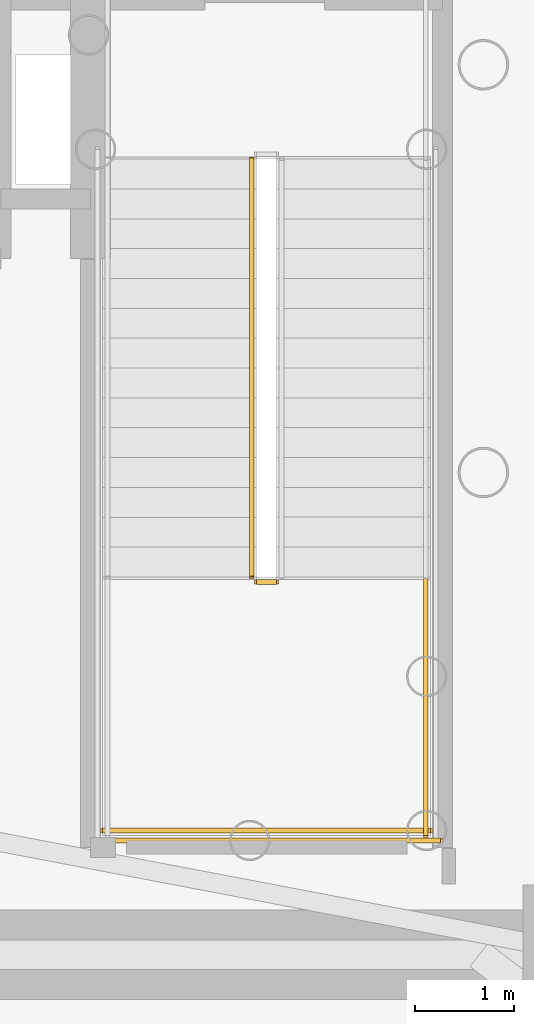
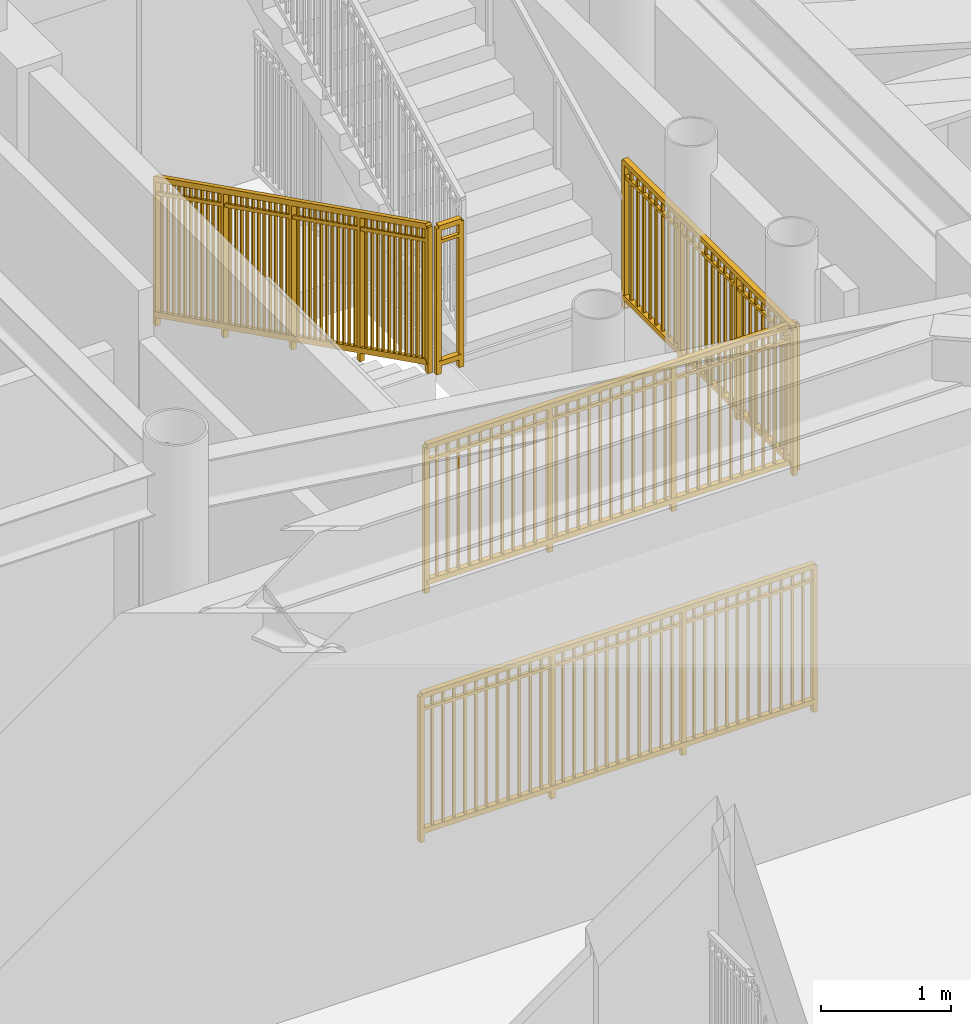
# One storey, part 19 of 21: 5 railings.
"""IFC4 building model written with IfcOpenShell, lengths in metres."""

from ifc_helpers import new_model, si_unit, direction, frame, origin, origin_2d, place, context, subcontext, project, spatial, rectangle, extrude, source, transform, mapped, material, type_object, element, save


model = new_model("IFC4")

# Units and contexts
model_context = context("Model", 3, precision=1e-05, world=origin(), true_north=direction((0.0, 1.0)))
body_context = subcontext(model_context, "Body", "Model", "MODEL_VIEW")
ifc_project = project(units=[si_unit("LENGTHUNIT", "METRE"), si_unit("AREAUNIT", "SQUARE_METRE"), si_unit("VOLUMEUNIT", "CUBIC_METRE"), si_unit("PLANEANGLEUNIT", "RADIAN"), si_unit("MASSUNIT", "GRAM", prefix="KILO")], contexts=[model_context])

# Site, building, storey
site_placement = place(None, origin())
site = spatial("IfcSite", under=ifc_project, at=site_placement, CompositionType="ELEMENT")
building_placement = place(site_placement, origin())
building = spatial("IfcBuilding", under=site, at=building_placement, Name="Linh Dai School and Residence Tower", CompositionType="ELEMENT")
storey_placement = place(building_placement, frame((0.0, 0.0, -4.5)))
storey = spatial("IfcBuildingStorey", under=building, at=storey_placement, Name="B01", CompositionType="ELEMENT", Elevation=-4.5)

# Railings
ifc_material = material(Name="Structural Steel S355JR", Category="steel")
railing_type = type_object("IfcRailingType", Name="RL-ST-GUARD-1400", PredefinedType="GUARDRAIL", material=ifc_material)
shared_shape_1 = source(origin(), body_context, "Body", "SweptSolid", [
    extrude(rectangle(XDim=0.048095703125, YDim=0.048095703125, at=origin_2d()), frame((0.0, 0.0, 1.3759765625), z_axis=(0.0, -0.894416792377, 0.447234392142), x_axis=(1.0, 0.0, 0.0)), (0.0, 0.0, 1.0), 4.69580078125),
    extrude(rectangle(XDim=0.048095703125, YDim=0.048095703125, at=origin_2d()), frame((0.0, 0.0, 0.10009765625), z_axis=(0.0, -0.894416792377, 0.447234392142), x_axis=(1.0, 0.0, 0.0)), (0.0, 0.0, 1.0), 4.69580078125),
    extrude(rectangle(XDim=0.030029296875, YDim=0.030029296875, at=origin_2d()), frame((0.0, 0.0, 1.239990234375), z_axis=(0.0, -0.894416792377, 0.447234392142), x_axis=(1.0, 0.0, 0.0)), (0.0, 0.0, 1.0), 4.69580078125),
    extrude(rectangle(XDim=0.02001953125, YDim=0.02001953125, at=origin_2d()), frame((0.0, -0.08740234375, 0.143798828125)), (0.0, 0.0, 1.0), 1.251708984375),
    extrude(rectangle(XDim=0.02001953125, YDim=0.02001953125, at=origin_2d()), frame((0.0, -0.175048828125, 0.1875)), (0.0, 0.0, 1.0), 1.251708984375),
    extrude(rectangle(XDim=0.02001953125, YDim=0.02001953125, at=origin_2d()), frame((0.0, -0.262451171875, 0.2314453125)), (0.0, 0.0, 1.0), 1.251708984375),
    extrude(rectangle(XDim=0.02001953125, YDim=0.02001953125, at=origin_2d()), frame((0.0, -0.35009765625, 0.275146484375)), (0.0, 0.0, 1.0), 1.251708984375),
    extrude(rectangle(XDim=0.02001953125, YDim=0.02001953125, at=origin_2d()), frame((0.0, -0.4375, 0.31884765625)), (0.0, 0.0, 1.0), 1.251708984375),
    extrude(rectangle(XDim=0.02001953125, YDim=0.02001953125, at=origin_2d()), frame((0.0, -0.52490234375, 0.362548828125)), (0.0, 0.0, 1.0), 1.251708984375),
    extrude(rectangle(XDim=0.02001953125, YDim=0.02001953125, at=origin_2d()), frame((0.0, -0.612548828125, 0.40625)), (0.0, 0.0, 1.0), 1.251708984375),
    extrude(rectangle(XDim=0.02001953125, YDim=0.02001953125, at=origin_2d()), frame((0.0, -0.699951171875, 0.4501953125)), (0.0, 0.0, 1.0), 1.251708984375),
    extrude(rectangle(XDim=0.02001953125, YDim=0.02001953125, at=origin_2d()), frame((0.0, -0.78759765625, 0.493896484375)), (0.0, 0.0, 1.0), 1.251708984375),
    extrude(rectangle(XDim=0.02001953125, YDim=0.02001953125, at=origin_2d()), frame((0.0, -0.875, 0.53759765625)), (0.0, 0.0, 1.0), 1.251708984375),
    extrude(rectangle(XDim=0.02001953125, YDim=0.02001953125, at=origin_2d()), frame((0.0, -0.96240234375, 0.581298828125)), (0.0, 0.0, 1.0), 1.251708984375),
    extrude(rectangle(XDim=0.02001953125, YDim=0.02001953125, at=origin_2d()), frame((0.0, -1.137451171875, 0.6689453125)), (0.0, 0.0, 1.0), 1.251708984375),
    extrude(rectangle(XDim=0.02001953125, YDim=0.02001953125, at=origin_2d()), frame((0.0, -1.22509765625, 0.712646484375)), (0.0, 0.0, 1.0), 1.251708984375),
    extrude(rectangle(XDim=0.02001953125, YDim=0.02001953125, at=origin_2d()), frame((0.0, -1.3125, 0.75634765625)), (0.0, 0.0, 1.0), 1.251708984375),
    extrude(rectangle(XDim=0.02001953125, YDim=0.02001953125, at=origin_2d()), frame((0.0, -1.39990234375, 0.800048828125)), (0.0, 0.0, 1.0), 1.251708984375),
    extrude(rectangle(XDim=0.02001953125, YDim=0.02001953125, at=origin_2d()), frame((0.0, -1.487548828125, 0.843994140625)), (0.0, 0.0, 1.0), 1.251708984375),
    extrude(rectangle(XDim=0.02001953125, YDim=0.02001953125, at=origin_2d()), frame((0.0, -1.574951171875, 0.8876953125)), (0.0, 0.0, 1.0), 1.251708984375),
    extrude(rectangle(XDim=0.02001953125, YDim=0.02001953125, at=origin_2d()), frame((0.0, -1.66259765625, 0.931396484375)), (0.0, 0.0, 1.0), 1.251708984375),
    extrude(rectangle(XDim=0.02001953125, YDim=0.02001953125, at=origin_2d()), frame((0.0, -1.75, 0.97509765625)), (0.0, 0.0, 1.0), 1.251708984375),
    extrude(rectangle(XDim=0.02001953125, YDim=0.02001953125, at=origin_2d()), frame((0.0, -1.83740234375, 1.018798828125)), (0.0, 0.0, 1.0), 1.251708984375),
    extrude(rectangle(XDim=0.02001953125, YDim=0.02001953125, at=origin_2d()), frame((0.0, -1.925048828125, 1.062744140625)), (0.0, 0.0, 1.0), 1.251708984375),
    extrude(rectangle(XDim=0.02001953125, YDim=0.02001953125, at=origin_2d()), frame((0.0, -2.012451171875, 1.1064453125)), (0.0, 0.0, 1.0), 1.251708984375),
    extrude(rectangle(XDim=0.02001953125, YDim=0.02001953125, at=origin_2d()), frame((0.0, -2.1875, 1.19384765625)), (0.0, 0.0, 1.0), 1.251708984375),
    extrude(rectangle(XDim=0.02001953125, YDim=0.02001953125, at=origin_2d()), frame((0.0, -2.27490234375, 1.237548828125)), (0.0, 0.0, 1.0), 1.251708984375),
    extrude(rectangle(XDim=0.02001953125, YDim=0.02001953125, at=origin_2d()), frame((0.0, -2.362548828125, 1.281494140625)), (0.0, 0.0, 1.0), 1.251708984375),
    extrude(rectangle(XDim=0.02001953125, YDim=0.02001953125, at=origin_2d()), frame((0.0, -2.449951171875, 1.3251953125)), (0.0, 0.0, 1.0), 1.251708984375),
    extrude(rectangle(XDim=0.02001953125, YDim=0.02001953125, at=origin_2d()), frame((0.0, -2.537353515625, 1.368896484375)), (0.0, 0.0, 1.0), 1.251708984375),
    extrude(rectangle(XDim=0.02001953125, YDim=0.02001953125, at=origin_2d()), frame((0.0, -2.625, 1.41259765625)), (0.0, 0.0, 1.0), 1.251708984375),
    extrude(rectangle(XDim=0.02001953125, YDim=0.02001953125, at=origin_2d()), frame((0.0, -2.71240234375, 1.456298828125)), (0.0, 0.0, 1.0), 1.251708984375),
    extrude(rectangle(XDim=0.02001953125, YDim=0.02001953125, at=origin_2d()), frame((0.0, -2.800048828125, 1.500244140625)), (0.0, 0.0, 1.0), 1.251708984375),
    extrude(rectangle(XDim=0.02001953125, YDim=0.02001953125, at=origin_2d()), frame((0.0, -2.887451171875, 1.5439453125)), (0.0, 0.0, 1.0), 1.251708984375),
    extrude(rectangle(XDim=0.02001953125, YDim=0.02001953125, at=origin_2d()), frame((0.0, -2.974853515625, 1.587646484375)), (0.0, 0.0, 1.0), 1.251708984375),
    extrude(rectangle(XDim=0.02001953125, YDim=0.02001953125, at=origin_2d()), frame((0.0, -3.0625, 1.63134765625)), (0.0, 0.0, 1.0), 1.251708984375),
    extrude(rectangle(XDim=0.02001953125, YDim=0.02001953125, at=origin_2d()), frame((0.0, -3.237548828125, 1.718994140625)), (0.0, 0.0, 1.0), 1.251708984375),
    extrude(rectangle(XDim=0.02001953125, YDim=0.02001953125, at=origin_2d()), frame((0.0, -3.324951171875, 1.7626953125)), (0.0, 0.0, 1.0), 1.251708984375),
    extrude(rectangle(XDim=0.02001953125, YDim=0.02001953125, at=origin_2d()), frame((0.0, -3.412353515625, 1.806396484375)), (0.0, 0.0, 1.0), 1.251708984375),
    extrude(rectangle(XDim=0.02001953125, YDim=0.02001953125, at=origin_2d()), frame((0.0, -3.5, 1.85009765625)), (0.0, 0.0, 1.0), 1.251708984375),
    extrude(rectangle(XDim=0.02001953125, YDim=0.02001953125, at=origin_2d()), frame((0.0, -3.58740234375, 1.89404296875)), (0.0, 0.0, 1.0), 1.251708984375),
    extrude(rectangle(XDim=0.02001953125, YDim=0.02001953125, at=origin_2d()), frame((0.0, -3.675048828125, 1.937744140625)), (0.0, 0.0, 1.0), 1.251708984375),
    extrude(rectangle(XDim=0.02001953125, YDim=0.02001953125, at=origin_2d()), frame((0.0, -3.762451171875, 1.9814453125)), (0.0, 0.0, 1.0), 1.251708984375),
    extrude(rectangle(XDim=0.02001953125, YDim=0.02001953125, at=origin_2d()), frame((0.0, -3.849853515625, 2.025146484375)), (0.0, 0.0, 1.0), 1.251708984375),
    extrude(rectangle(XDim=0.02001953125, YDim=0.02001953125, at=origin_2d()), frame((0.0, -3.9375, 2.06884765625)), (0.0, 0.0, 1.0), 1.251708984375),
    extrude(rectangle(XDim=0.02001953125, YDim=0.02001953125, at=origin_2d()), frame((0.0, -4.02490234375, 2.11279296875)), (0.0, 0.0, 1.0), 1.251708984375),
    extrude(rectangle(XDim=0.02001953125, YDim=0.02001953125, at=origin_2d()), frame((0.0, -4.112548828125, 2.156494140625)), (0.0, 0.0, 1.0), 1.251708984375),
    extrude(rectangle(XDim=0.0419921875, YDim=0.0419921875, at=origin_2d()), origin(), (0.0, 0.0, 1.0), 1.3759765625),
    extrude(rectangle(XDim=0.0419921875, YDim=0.0419921875, at=origin_2d()), frame((0.0, -1.050048828125, 0.52490234375)), (0.0, 0.0, 1.0), 1.3759765625),
    extrude(rectangle(XDim=0.0419921875, YDim=0.0419921875, at=origin_2d()), frame((0.0, -2.10009765625, 1.050048828125)), (0.0, 0.0, 1.0), 1.3759765625),
    extrude(rectangle(XDim=0.0419921875, YDim=0.0419921875, at=origin_2d()), frame((0.0, -3.14990234375, 1.5751953125)), (0.0, 0.0, 1.0), 1.3759765625),
    extrude(rectangle(XDim=0.0419921875, YDim=0.0419921875, at=origin_2d()), frame((0.0, -4.199951171875, 2.10009765625)), (0.0, 0.0, 1.0), 1.3759765625),
])
railing_1_placement = place(storey_placement, frame((42.52001953125, 28.25, 0.14990234375)))
element("IfcRailing", 1, at=railing_1_placement, inside=storey, type_object=railing_type, Name="B01 ST2 stair guard 1", PredefinedType="GUARDRAIL", context=body_context, shape_type="MappedRepresentation", body=[
    mapped(shared_shape_1, transform((0.0, 0.0, 0.0), x_axis=(1.0, 0.0, 0.0), y_axis=(0.0, 1.0, 0.0), z_axis=(0.0, 0.0, 1.0), scale=1.0)),
])
shared_shape_2 = source(origin(), body_context, "Body", "SweptSolid", [
    extrude(rectangle(XDim=0.048095703125, YDim=0.048095703125, at=origin_2d()), frame((0.0, 0.0, 1.3759765625), z_axis=(1.0, 0.0, 0.0), x_axis=(0.0, 1.0, 0.0)), (0.0, 0.0, 1.0), 0.199951171875),
    extrude(rectangle(XDim=0.048095703125, YDim=0.048095703125, at=origin_2d()), frame((0.0, 0.0, 0.10009765625), z_axis=(1.0, 0.0, 0.0), x_axis=(0.0, 1.0, 0.0)), (0.0, 0.0, 1.0), 0.199951171875),
    extrude(rectangle(XDim=0.030029296875, YDim=0.030029296875, at=origin_2d()), frame((0.0, 0.0, 1.239990234375), z_axis=(1.0, 0.0, 0.0), x_axis=(0.0, 1.0, 0.0)), (0.0, 0.0, 1.0), 0.199951171875),
    extrude(rectangle(XDim=0.0419921875, YDim=0.0419921875, at=origin_2d()), origin(), (0.0, 0.0, 1.0), 1.3759765625),
    extrude(rectangle(XDim=0.0419921875, YDim=0.0419921875, at=origin_2d()), frame((0.199951171875, 0.0, 0.0)), (0.0, 0.0, 1.0), 1.3759765625),
])
railing_2_placement = place(storey_placement, frame((42.570068359375, 24.0, 2.25)))
element("IfcRailing", 2, at=railing_2_placement, inside=storey, type_object=railing_type, Name="B01 ST2 stair guard 2", PredefinedType="GUARDRAIL", context=body_context, shape_type="MappedRepresentation", body=[
    mapped(shared_shape_2, transform((0.0, 0.0, 0.0), x_axis=(1.0, 0.0, 0.0), y_axis=(0.0, 1.0, 0.0), z_axis=(0.0, 0.0, 1.0), scale=1.0)),
])
shared_shape_3 = source(origin(), body_context, "Body", "SweptSolid", [
    extrude(rectangle(XDim=0.048095703125, YDim=0.048095703125, at=origin_2d()), frame((0.0, 0.0, 1.3759765625), z_axis=(0.0, -1.0, 0.0), x_axis=(1.0, 0.0, 0.0)), (0.0, 0.0, 1.0), 2.60009765625),
    extrude(rectangle(XDim=0.048095703125, YDim=0.048095703125, at=origin_2d()), frame((0.0, 0.0, 0.10009765625), z_axis=(0.0, -1.0, 0.0), x_axis=(1.0, 0.0, 0.0)), (0.0, 0.0, 1.0), 2.60009765625),
    extrude(rectangle(XDim=0.030029296875, YDim=0.030029296875, at=origin_2d()), frame((0.0, 0.0, 1.239990234375), z_axis=(0.0, -1.0, 0.0), x_axis=(1.0, 0.0, 0.0)), (0.0, 0.0, 1.0), 2.60009765625),
    extrude(rectangle(XDim=0.02001953125, YDim=0.02001953125, at=origin_2d()), frame((0.0, -0.09619140625, 0.10009765625)), (0.0, 0.0, 1.0), 1.251708984375),
    extrude(rectangle(XDim=0.02001953125, YDim=0.02001953125, at=origin_2d()), frame((0.0, -0.192626953125, 0.10009765625)), (0.0, 0.0, 1.0), 1.251708984375),
    extrude(rectangle(XDim=0.02001953125, YDim=0.02001953125, at=origin_2d()), frame((0.0, -0.288818359375, 0.10009765625)), (0.0, 0.0, 1.0), 1.251708984375),
    extrude(rectangle(XDim=0.02001953125, YDim=0.02001953125, at=origin_2d()), frame((0.0, -0.38525390625, 0.10009765625)), (0.0, 0.0, 1.0), 1.251708984375),
    extrude(rectangle(XDim=0.02001953125, YDim=0.02001953125, at=origin_2d()), frame((0.0, -0.4814453125, 0.10009765625)), (0.0, 0.0, 1.0), 1.251708984375),
    extrude(rectangle(XDim=0.02001953125, YDim=0.02001953125, at=origin_2d()), frame((0.0, -0.577880859375, 0.10009765625)), (0.0, 0.0, 1.0), 1.251708984375),
    extrude(rectangle(XDim=0.02001953125, YDim=0.02001953125, at=origin_2d()), frame((0.0, -0.674072265625, 0.10009765625)), (0.0, 0.0, 1.0), 1.251708984375),
    extrude(rectangle(XDim=0.02001953125, YDim=0.02001953125, at=origin_2d()), frame((0.0, -0.7705078125, 0.10009765625)), (0.0, 0.0, 1.0), 1.251708984375),
    extrude(rectangle(XDim=0.02001953125, YDim=0.02001953125, at=origin_2d()), frame((0.0, -0.962890625, 0.10009765625)), (0.0, 0.0, 1.0), 1.251708984375),
    extrude(rectangle(XDim=0.02001953125, YDim=0.02001953125, at=origin_2d()), frame((0.0, -1.059326171875, 0.10009765625)), (0.0, 0.0, 1.0), 1.251708984375),
    extrude(rectangle(XDim=0.02001953125, YDim=0.02001953125, at=origin_2d()), frame((0.0, -1.155517578125, 0.10009765625)), (0.0, 0.0, 1.0), 1.251708984375),
    extrude(rectangle(XDim=0.02001953125, YDim=0.02001953125, at=origin_2d()), frame((0.0, -1.251953125, 0.10009765625)), (0.0, 0.0, 1.0), 1.251708984375),
    extrude(rectangle(XDim=0.02001953125, YDim=0.02001953125, at=origin_2d()), frame((0.0, -1.34814453125, 0.10009765625)), (0.0, 0.0, 1.0), 1.251708984375),
    extrude(rectangle(XDim=0.02001953125, YDim=0.02001953125, at=origin_2d()), frame((0.0, -1.444580078125, 0.10009765625)), (0.0, 0.0, 1.0), 1.251708984375),
    extrude(rectangle(XDim=0.02001953125, YDim=0.02001953125, at=origin_2d()), frame((0.0, -1.540771484375, 0.10009765625)), (0.0, 0.0, 1.0), 1.251708984375),
    extrude(rectangle(XDim=0.02001953125, YDim=0.02001953125, at=origin_2d()), frame((0.0, -1.63720703125, 0.10009765625)), (0.0, 0.0, 1.0), 1.251708984375),
    extrude(rectangle(XDim=0.02001953125, YDim=0.02001953125, at=origin_2d()), frame((0.0, -1.82958984375, 0.10009765625)), (0.0, 0.0, 1.0), 1.251708984375),
    extrude(rectangle(XDim=0.02001953125, YDim=0.02001953125, at=origin_2d()), frame((0.0, -1.926025390625, 0.10009765625)), (0.0, 0.0, 1.0), 1.251708984375),
    extrude(rectangle(XDim=0.02001953125, YDim=0.02001953125, at=origin_2d()), frame((0.0, -2.022216796875, 0.10009765625)), (0.0, 0.0, 1.0), 1.251708984375),
    extrude(rectangle(XDim=0.02001953125, YDim=0.02001953125, at=origin_2d()), frame((0.0, -2.11865234375, 0.10009765625)), (0.0, 0.0, 1.0), 1.251708984375),
    extrude(rectangle(XDim=0.02001953125, YDim=0.02001953125, at=origin_2d()), frame((0.0, -2.21484375, 0.10009765625)), (0.0, 0.0, 1.0), 1.251708984375),
    extrude(rectangle(XDim=0.02001953125, YDim=0.02001953125, at=origin_2d()), frame((0.0, -2.311279296875, 0.10009765625)), (0.0, 0.0, 1.0), 1.251708984375),
    extrude(rectangle(XDim=0.02001953125, YDim=0.02001953125, at=origin_2d()), frame((0.0, -2.407470703125, 0.10009765625)), (0.0, 0.0, 1.0), 1.251708984375),
    extrude(rectangle(XDim=0.02001953125, YDim=0.02001953125, at=origin_2d()), frame((0.0, -2.50390625, 0.10009765625)), (0.0, 0.0, 1.0), 1.251708984375),
    extrude(rectangle(XDim=0.0419921875, YDim=0.0419921875, at=origin_2d()), origin(), (0.0, 0.0, 1.0), 1.3759765625),
    extrude(rectangle(XDim=0.0419921875, YDim=0.0419921875, at=origin_2d()), frame((0.0, -0.86669921875, 0.0)), (0.0, 0.0, 1.0), 1.3759765625),
    extrude(rectangle(XDim=0.0419921875, YDim=0.0419921875, at=origin_2d()), frame((0.0, -1.7333984375, 0.0)), (0.0, 0.0, 1.0), 1.3759765625),
    extrude(rectangle(XDim=0.0419921875, YDim=0.0419921875, at=origin_2d()), frame((0.0, -2.60009765625, 0.0)), (0.0, 0.0, 1.0), 1.3759765625),
])
railing_3_placement = place(storey_placement, frame((44.27001953125, 24.050048828125, 2.25)))
element("IfcRailing", 3, at=railing_3_placement, inside=storey, type_object=railing_type, Name="B01 ST2 stair guard 4", PredefinedType="GUARDRAIL", context=body_context, shape_type="MappedRepresentation", body=[
    mapped(shared_shape_3, transform((0.0, 0.0, 0.0), x_axis=(1.0, 0.0, 0.0), y_axis=(0.0, 1.0, 0.0), z_axis=(0.0, 0.0, 1.0), scale=1.0)),
])
shared_shape_4 = source(origin(), body_context, "Body", "SweptSolid", [
    extrude(rectangle(XDim=0.048095703125, YDim=0.048095703125, at=origin_2d()), frame((0.0, 0.0, 1.3759765625), z_axis=(1.0, 0.0, 0.0), x_axis=(0.0, 1.0, 0.0)), (0.0, 0.0, 1.0), 3.300048828125),
    extrude(rectangle(XDim=0.048095703125, YDim=0.048095703125, at=origin_2d()), frame((0.0, 0.0, 0.10009765625), z_axis=(1.0, 0.0, 0.0), x_axis=(0.0, 1.0, 0.0)), (0.0, 0.0, 1.0), 3.300048828125),
    extrude(rectangle(XDim=0.030029296875, YDim=0.030029296875, at=origin_2d()), frame((0.0, 0.0, 1.239990234375), z_axis=(1.0, 0.0, 0.0), x_axis=(0.0, 1.0, 0.0)), (0.0, 0.0, 1.0), 3.300048828125),
    extrude(rectangle(XDim=0.02001953125, YDim=0.02001953125, at=origin_2d()), frame((0.09716796875, 0.0, 0.10009765625)), (0.0, 0.0, 1.0), 1.251708984375),
    extrude(rectangle(XDim=0.02001953125, YDim=0.02001953125, at=origin_2d()), frame((0.194091796875, 0.0, 0.10009765625)), (0.0, 0.0, 1.0), 1.251708984375),
    extrude(rectangle(XDim=0.02001953125, YDim=0.02001953125, at=origin_2d()), frame((0.291259765625, 0.0, 0.10009765625)), (0.0, 0.0, 1.0), 1.251708984375),
    extrude(rectangle(XDim=0.02001953125, YDim=0.02001953125, at=origin_2d()), frame((0.38818359375, 0.0, 0.10009765625)), (0.0, 0.0, 1.0), 1.251708984375),
    extrude(rectangle(XDim=0.02001953125, YDim=0.02001953125, at=origin_2d()), frame((0.4853515625, 0.0, 0.10009765625)), (0.0, 0.0, 1.0), 1.251708984375),
    extrude(rectangle(XDim=0.02001953125, YDim=0.02001953125, at=origin_2d()), frame((0.582275390625, 0.0, 0.10009765625)), (0.0, 0.0, 1.0), 1.251708984375),
    extrude(rectangle(XDim=0.02001953125, YDim=0.02001953125, at=origin_2d()), frame((0.679443359375, 0.0, 0.10009765625)), (0.0, 0.0, 1.0), 1.251708984375),
    extrude(rectangle(XDim=0.02001953125, YDim=0.02001953125, at=origin_2d()), frame((0.7763671875, 0.0, 0.10009765625)), (0.0, 0.0, 1.0), 1.251708984375),
    extrude(rectangle(XDim=0.02001953125, YDim=0.02001953125, at=origin_2d()), frame((0.87353515625, 0.0, 0.10009765625)), (0.0, 0.0, 1.0), 1.251708984375),
    extrude(rectangle(XDim=0.02001953125, YDim=0.02001953125, at=origin_2d()), frame((0.970703125, 0.0, 0.10009765625)), (0.0, 0.0, 1.0), 1.251708984375),
    extrude(rectangle(XDim=0.02001953125, YDim=0.02001953125, at=origin_2d()), frame((1.164794921875, 0.0, 0.10009765625)), (0.0, 0.0, 1.0), 1.251708984375),
    extrude(rectangle(XDim=0.02001953125, YDim=0.02001953125, at=origin_2d()), frame((1.26171875, 0.0, 0.10009765625)), (0.0, 0.0, 1.0), 1.251708984375),
    extrude(rectangle(XDim=0.02001953125, YDim=0.02001953125, at=origin_2d()), frame((1.35888671875, 0.0, 0.10009765625)), (0.0, 0.0, 1.0), 1.251708984375),
    extrude(rectangle(XDim=0.02001953125, YDim=0.02001953125, at=origin_2d()), frame((1.455810546875, 0.0, 0.10009765625)), (0.0, 0.0, 1.0), 1.251708984375),
    extrude(rectangle(XDim=0.02001953125, YDim=0.02001953125, at=origin_2d()), frame((1.552978515625, 0.0, 0.10009765625)), (0.0, 0.0, 1.0), 1.251708984375),
    extrude(rectangle(XDim=0.02001953125, YDim=0.02001953125, at=origin_2d()), frame((1.64990234375, 0.0, 0.10009765625)), (0.0, 0.0, 1.0), 1.251708984375),
    extrude(rectangle(XDim=0.02001953125, YDim=0.02001953125, at=origin_2d()), frame((1.7470703125, 0.0, 0.10009765625)), (0.0, 0.0, 1.0), 1.251708984375),
    extrude(rectangle(XDim=0.02001953125, YDim=0.02001953125, at=origin_2d()), frame((1.84423828125, 0.0, 0.10009765625)), (0.0, 0.0, 1.0), 1.251708984375),
    extrude(rectangle(XDim=0.02001953125, YDim=0.02001953125, at=origin_2d()), frame((1.941162109375, 0.0, 0.10009765625)), (0.0, 0.0, 1.0), 1.251708984375),
    extrude(rectangle(XDim=0.02001953125, YDim=0.02001953125, at=origin_2d()), frame((2.038330078125, 0.0, 0.10009765625)), (0.0, 0.0, 1.0), 1.251708984375),
    extrude(rectangle(XDim=0.02001953125, YDim=0.02001953125, at=origin_2d()), frame((2.13525390625, 0.0, 0.10009765625)), (0.0, 0.0, 1.0), 1.251708984375),
    extrude(rectangle(XDim=0.02001953125, YDim=0.02001953125, at=origin_2d()), frame((2.329345703125, 0.0, 0.10009765625)), (0.0, 0.0, 1.0), 1.251708984375),
    extrude(rectangle(XDim=0.02001953125, YDim=0.02001953125, at=origin_2d()), frame((2.426513671875, 0.0, 0.10009765625)), (0.0, 0.0, 1.0), 1.251708984375),
    extrude(rectangle(XDim=0.02001953125, YDim=0.02001953125, at=origin_2d()), frame((2.523681640625, 0.0, 0.10009765625)), (0.0, 0.0, 1.0), 1.251708984375),
    extrude(rectangle(XDim=0.02001953125, YDim=0.02001953125, at=origin_2d()), frame((2.62060546875, 0.0, 0.10009765625)), (0.0, 0.0, 1.0), 1.251708984375),
    extrude(rectangle(XDim=0.02001953125, YDim=0.02001953125, at=origin_2d()), frame((2.7177734375, 0.0, 0.10009765625)), (0.0, 0.0, 1.0), 1.251708984375),
    extrude(rectangle(XDim=0.02001953125, YDim=0.02001953125, at=origin_2d()), frame((2.814697265625, 0.0, 0.10009765625)), (0.0, 0.0, 1.0), 1.251708984375),
    extrude(rectangle(XDim=0.02001953125, YDim=0.02001953125, at=origin_2d()), frame((2.911865234375, 0.0, 0.10009765625)), (0.0, 0.0, 1.0), 1.251708984375),
    extrude(rectangle(XDim=0.02001953125, YDim=0.02001953125, at=origin_2d()), frame((3.0087890625, 0.0, 0.10009765625)), (0.0, 0.0, 1.0), 1.251708984375),
    extrude(rectangle(XDim=0.02001953125, YDim=0.02001953125, at=origin_2d()), frame((3.10595703125, 0.0, 0.10009765625)), (0.0, 0.0, 1.0), 1.251708984375),
    extrude(rectangle(XDim=0.02001953125, YDim=0.02001953125, at=origin_2d()), frame((3.202880859375, 0.0, 0.10009765625)), (0.0, 0.0, 1.0), 1.251708984375),
    extrude(rectangle(XDim=0.0419921875, YDim=0.0419921875, at=origin_2d()), origin(), (0.0, 0.0, 1.0), 1.3759765625),
    extrude(rectangle(XDim=0.0419921875, YDim=0.0419921875, at=origin_2d()), frame((1.10009765625, 0.0, 0.0)), (0.0, 0.0, 1.0), 1.3759765625),
    extrude(rectangle(XDim=0.0419921875, YDim=0.0419921875, at=origin_2d()), frame((2.199951171875, 0.0, 0.0)), (0.0, 0.0, 1.0), 1.3759765625),
    extrude(rectangle(XDim=0.0419921875, YDim=0.0419921875, at=origin_2d()), frame((3.300048828125, 0.0, 0.0)), (0.0, 0.0, 1.0), 1.3759765625),
])
railing_4_placement = place(storey_placement, frame((41.02001953125, 21.5, 2.25)))
element("IfcRailing", 4, at=railing_4_placement, inside=storey, type_object=railing_type, Name="B01 ST2 stair guard 5", PredefinedType="GUARDRAIL", context=body_context, shape_type="MappedRepresentation", body=[
    mapped(shared_shape_4, transform((0.0, 0.0, 0.0), x_axis=(1.0, 0.0, 0.0), y_axis=(0.0, 1.0, 0.0), z_axis=(0.0, 0.0, 1.0), scale=1.0)),
])
shared_shape_5 = source(origin(), body_context, "Body", "SweptSolid", [
    extrude(rectangle(XDim=0.048095703125, YDim=0.048095703125, at=origin_2d()), frame((0.0, 0.0, 1.3759765625), z_axis=(1.0, 0.0, 0.0), x_axis=(0.0, 1.0, 0.0)), (0.0, 0.0, 1.0), 3.5),
    extrude(rectangle(XDim=0.048095703125, YDim=0.048095703125, at=origin_2d()), frame((0.0, 0.0, 0.10009765625), z_axis=(1.0, 0.0, 0.0), x_axis=(0.0, 1.0, 0.0)), (0.0, 0.0, 1.0), 3.5),
    extrude(rectangle(XDim=0.030029296875, YDim=0.030029296875, at=origin_2d()), frame((0.0, 0.0, 1.239990234375), z_axis=(1.0, 0.0, 0.0), x_axis=(0.0, 1.0, 0.0)), (0.0, 0.0, 1.0), 3.5),
    extrude(rectangle(XDim=0.02001953125, YDim=0.02001953125, at=origin_2d()), frame((0.09716796875, 0.0, 0.10009765625)), (0.0, 0.0, 1.0), 1.251708984375),
    extrude(rectangle(XDim=0.02001953125, YDim=0.02001953125, at=origin_2d()), frame((0.1943359375, 0.0, 0.10009765625)), (0.0, 0.0, 1.0), 1.251708984375),
    extrude(rectangle(XDim=0.02001953125, YDim=0.02001953125, at=origin_2d()), frame((0.291748046875, 0.0, 0.10009765625)), (0.0, 0.0, 1.0), 1.251708984375),
    extrude(rectangle(XDim=0.02001953125, YDim=0.02001953125, at=origin_2d()), frame((0.388916015625, 0.0, 0.10009765625)), (0.0, 0.0, 1.0), 1.251708984375),
    extrude(rectangle(XDim=0.02001953125, YDim=0.02001953125, at=origin_2d()), frame((0.486083984375, 0.0, 0.10009765625)), (0.0, 0.0, 1.0), 1.251708984375),
    extrude(rectangle(XDim=0.02001953125, YDim=0.02001953125, at=origin_2d()), frame((0.583251953125, 0.0, 0.10009765625)), (0.0, 0.0, 1.0), 1.251708984375),
    extrude(rectangle(XDim=0.02001953125, YDim=0.02001953125, at=origin_2d()), frame((0.6806640625, 0.0, 0.10009765625)), (0.0, 0.0, 1.0), 1.251708984375),
    extrude(rectangle(XDim=0.02001953125, YDim=0.02001953125, at=origin_2d()), frame((0.77783203125, 0.0, 0.10009765625)), (0.0, 0.0, 1.0), 1.251708984375),
    extrude(rectangle(XDim=0.02001953125, YDim=0.02001953125, at=origin_2d()), frame((0.875, 0.0, 0.10009765625)), (0.0, 0.0, 1.0), 1.251708984375),
    extrude(rectangle(XDim=0.02001953125, YDim=0.02001953125, at=origin_2d()), frame((0.97216796875, 0.0, 0.10009765625)), (0.0, 0.0, 1.0), 1.251708984375),
    extrude(rectangle(XDim=0.02001953125, YDim=0.02001953125, at=origin_2d()), frame((1.0693359375, 0.0, 0.10009765625)), (0.0, 0.0, 1.0), 1.251708984375),
    extrude(rectangle(XDim=0.02001953125, YDim=0.02001953125, at=origin_2d()), frame((1.263916015625, 0.0, 0.10009765625)), (0.0, 0.0, 1.0), 1.251708984375),
    extrude(rectangle(XDim=0.02001953125, YDim=0.02001953125, at=origin_2d()), frame((1.361083984375, 0.0, 0.10009765625)), (0.0, 0.0, 1.0), 1.251708984375),
    extrude(rectangle(XDim=0.02001953125, YDim=0.02001953125, at=origin_2d()), frame((1.458251953125, 0.0, 0.10009765625)), (0.0, 0.0, 1.0), 1.251708984375),
    extrude(rectangle(XDim=0.02001953125, YDim=0.02001953125, at=origin_2d()), frame((1.5556640625, 0.0, 0.10009765625)), (0.0, 0.0, 1.0), 1.251708984375),
    extrude(rectangle(XDim=0.02001953125, YDim=0.02001953125, at=origin_2d()), frame((1.65283203125, 0.0, 0.10009765625)), (0.0, 0.0, 1.0), 1.251708984375),
    extrude(rectangle(XDim=0.02001953125, YDim=0.02001953125, at=origin_2d()), frame((1.75, 0.0, 0.10009765625)), (0.0, 0.0, 1.0), 1.251708984375),
    extrude(rectangle(XDim=0.02001953125, YDim=0.02001953125, at=origin_2d()), frame((1.84716796875, 0.0, 0.10009765625)), (0.0, 0.0, 1.0), 1.251708984375),
    extrude(rectangle(XDim=0.02001953125, YDim=0.02001953125, at=origin_2d()), frame((1.9443359375, 0.0, 0.10009765625)), (0.0, 0.0, 1.0), 1.251708984375),
    extrude(rectangle(XDim=0.02001953125, YDim=0.02001953125, at=origin_2d()), frame((2.041748046875, 0.0, 0.10009765625)), (0.0, 0.0, 1.0), 1.251708984375),
    extrude(rectangle(XDim=0.02001953125, YDim=0.02001953125, at=origin_2d()), frame((2.138916015625, 0.0, 0.10009765625)), (0.0, 0.0, 1.0), 1.251708984375),
    extrude(rectangle(XDim=0.02001953125, YDim=0.02001953125, at=origin_2d()), frame((2.236083984375, 0.0, 0.10009765625)), (0.0, 0.0, 1.0), 1.251708984375),
    extrude(rectangle(XDim=0.02001953125, YDim=0.02001953125, at=origin_2d()), frame((2.4306640625, 0.0, 0.10009765625)), (0.0, 0.0, 1.0), 1.251708984375),
    extrude(rectangle(XDim=0.02001953125, YDim=0.02001953125, at=origin_2d()), frame((2.52783203125, 0.0, 0.10009765625)), (0.0, 0.0, 1.0), 1.251708984375),
    extrude(rectangle(XDim=0.02001953125, YDim=0.02001953125, at=origin_2d()), frame((2.625, 0.0, 0.10009765625)), (0.0, 0.0, 1.0), 1.251708984375),
    extrude(rectangle(XDim=0.02001953125, YDim=0.02001953125, at=origin_2d()), frame((2.72216796875, 0.0, 0.10009765625)), (0.0, 0.0, 1.0), 1.251708984375),
    extrude(rectangle(XDim=0.02001953125, YDim=0.02001953125, at=origin_2d()), frame((2.8193359375, 0.0, 0.10009765625)), (0.0, 0.0, 1.0), 1.251708984375),
    extrude(rectangle(XDim=0.02001953125, YDim=0.02001953125, at=origin_2d()), frame((2.916748046875, 0.0, 0.10009765625)), (0.0, 0.0, 1.0), 1.251708984375),
    extrude(rectangle(XDim=0.02001953125, YDim=0.02001953125, at=origin_2d()), frame((3.013916015625, 0.0, 0.10009765625)), (0.0, 0.0, 1.0), 1.251708984375),
    extrude(rectangle(XDim=0.02001953125, YDim=0.02001953125, at=origin_2d()), frame((3.111083984375, 0.0, 0.10009765625)), (0.0, 0.0, 1.0), 1.251708984375),
    extrude(rectangle(XDim=0.02001953125, YDim=0.02001953125, at=origin_2d()), frame((3.208251953125, 0.0, 0.10009765625)), (0.0, 0.0, 1.0), 1.251708984375),
    extrude(rectangle(XDim=0.02001953125, YDim=0.02001953125, at=origin_2d()), frame((3.3056640625, 0.0, 0.10009765625)), (0.0, 0.0, 1.0), 1.251708984375),
    extrude(rectangle(XDim=0.02001953125, YDim=0.02001953125, at=origin_2d()), frame((3.40283203125, 0.0, 0.10009765625)), (0.0, 0.0, 1.0), 1.251708984375),
    extrude(rectangle(XDim=0.0419921875, YDim=0.0419921875, at=origin_2d()), origin(), (0.0, 0.0, 1.0), 1.3759765625),
    extrude(rectangle(XDim=0.0419921875, YDim=0.0419921875, at=origin_2d()), frame((1.166748046875, 0.0, 0.0)), (0.0, 0.0, 1.0), 1.3759765625),
    extrude(rectangle(XDim=0.0419921875, YDim=0.0419921875, at=origin_2d()), frame((2.333251953125, 0.0, 0.0)), (0.0, 0.0, 1.0), 1.3759765625),
    extrude(rectangle(XDim=0.0419921875, YDim=0.0419921875, at=origin_2d()), frame((3.5, 0.0, 0.0)), (0.0, 0.0, 1.0), 1.3759765625),
])
railing_5_placement = place(storey_placement, frame((40.919921875, 21.39990234375, 0.0)))
element("IfcRailing", 5, at=railing_5_placement, inside=storey, type_object=railing_type, Name="B01 ST2 stair guard 12", PredefinedType="GUARDRAIL", context=body_context, shape_type="MappedRepresentation", body=[
    mapped(shared_shape_5, transform((0.0, 0.0, 0.0), x_axis=(1.0, 0.0, 0.0), y_axis=(0.0, 1.0, 0.0), z_axis=(0.0, 0.0, 1.0), scale=1.0)),
])

save(model, "model.ifc")
